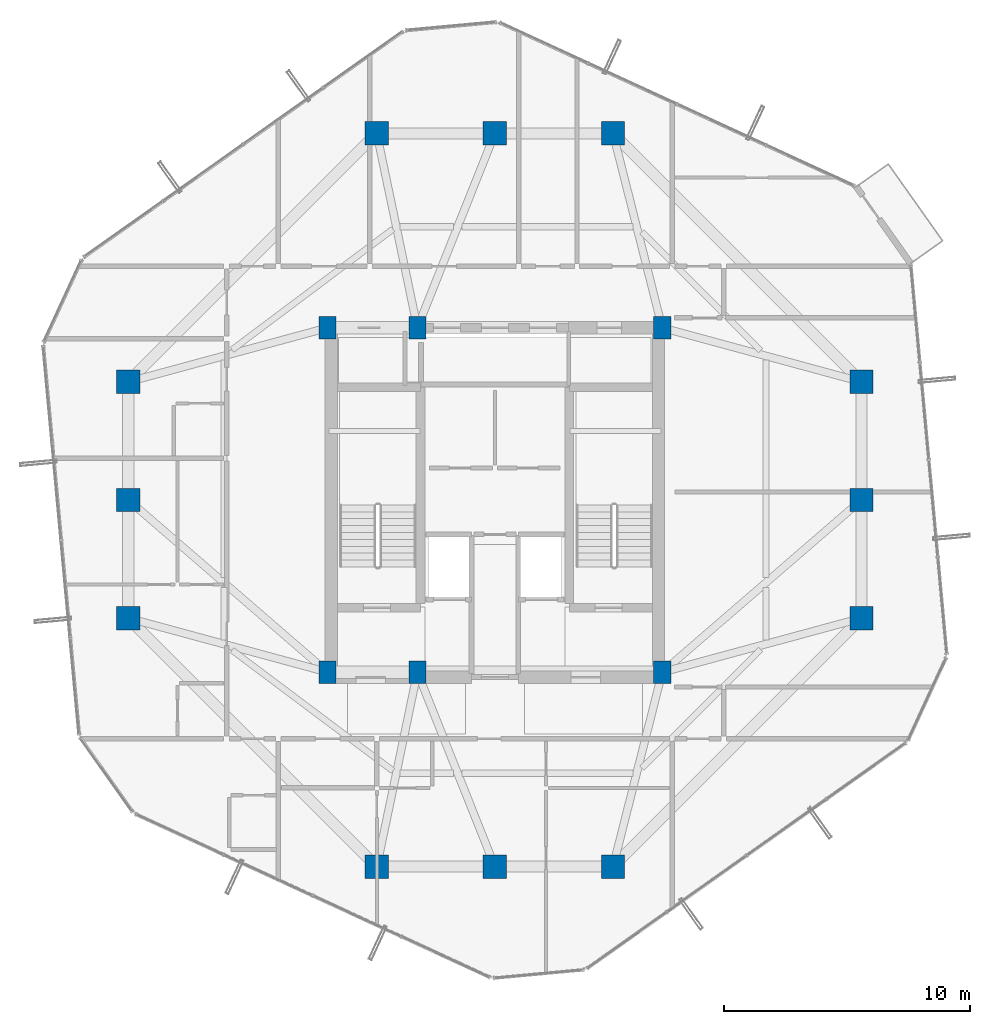
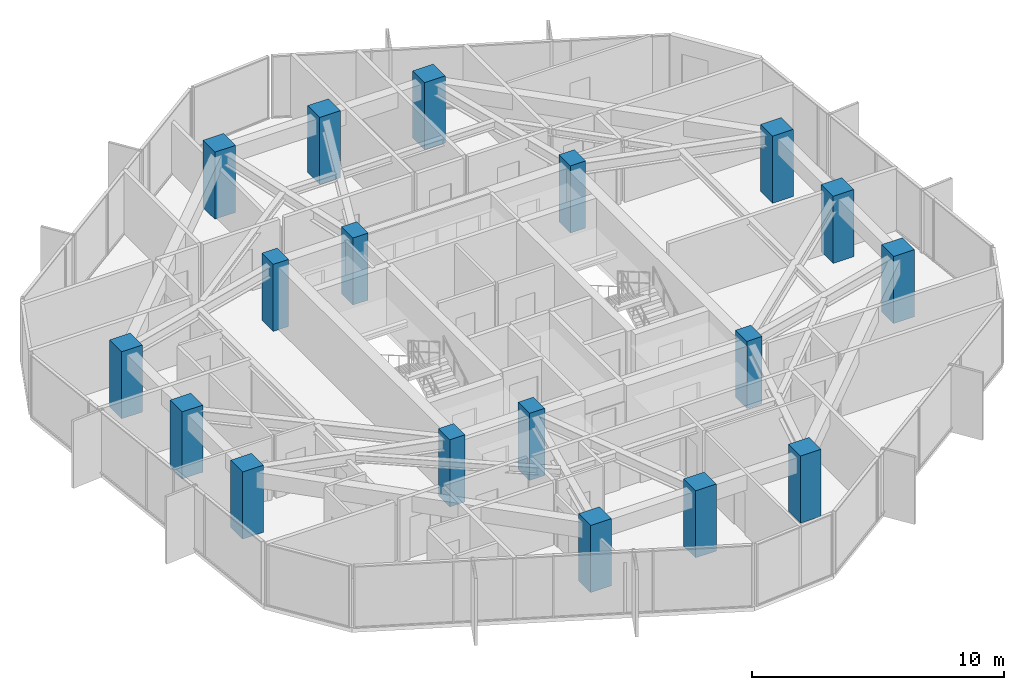
# One storey, part 1 of 32: 18 columns.
"""IFC4 building model written with IfcOpenShell, lengths in metres."""

import ifcopenshell
import ifcopenshell.guid

model = None  # the IFC model being written
_history = None  # IfcOwnerHistory: only IFC2X3 demands one
_inside = {}  # id of a spatial element -> (the spatial element, [elements in it])
_under = {}  # id of a project, library or spatial element -> (it, [spatial elements below it])
_declared = {}  # id of a project -> (the project, [libraries it declares])
_typed = {}  # id of a type object -> (the type object, [elements of that type])
_made_of = {}  # id of a material, layer set ... -> (it, [elements and type objects made of it])


def new_model(schema):
    """Start an empty IFC model of exactly this schema.

    Asked for "IFC4X3", IfcOpenShell would pick the latest addendum, in which some entities
    have other attributes; the version numbers below select the first issue.
    IFC2X3 requires an IfcOwnerHistory on every rooted entity: one is made here for all.
    """
    global model, _history
    if schema == "IFC4X3":
        model = ifcopenshell.file(schema_version=(4, 3, 0, 0))
    else:
        model = ifcopenshell.file(schema=schema)
    _inside.clear()
    _under.clear()
    _declared.clear()
    _typed.clear()
    _made_of.clear()
    _history = None
    if model.schema == "IFC2X3":
        org = make("IfcOrganization", Name="unknown")
        user = make(
            "IfcPersonAndOrganization",
            ThePerson=make("IfcPerson", FamilyName="unknown"),
            TheOrganization=org,
        )
        app = make(
            "IfcApplication",
            ApplicationDeveloper=org,
            Version="unknown",
            ApplicationFullName="unknown",
            ApplicationIdentifier="unknown",
        )
        _history = make(
            "IfcOwnerHistory",
            OwningUser=user,
            OwningApplication=app,
            ChangeAction="ADDED",
            CreationDate=0,
        )
    return model


def make(cls, **values):
    """One entity of the class cls with the attributes given. An attribute that is None is left unset."""
    return model.create_entity(
        cls, **{name: value for name, value in values.items() if value is not None}
    )


def rooted(cls, **values):
    """An entity with a GlobalId (a new one), such as an element, a storey or a relation."""
    return make(cls, GlobalId=ifcopenshell.guid.new(), OwnerHistory=_history, **values)


def si_unit(unit_type, name, prefix=None):
    """IfcSIUnit, for example si_unit("LENGTHUNIT", "METRE", prefix="MILLI")."""
    return make("IfcSIUnit", UnitType=unit_type, Prefix=prefix, Name=name)


def assignment(units):
    """IfcUnitAssignment: the units of a project."""
    return None if units is None else make("IfcUnitAssignment", Units=units)


def point(xyz):
    """IfcCartesianPoint."""
    return None if xyz is None else make("IfcCartesianPoint", Coordinates=xyz)


def direction(xyz):
    """IfcDirection."""
    return None if xyz is None else make("IfcDirection", DirectionRatios=xyz)


def frame(location, z_axis=None, x_axis=None):
    """IfcAxis2Placement3D, a coordinate frame: its origin and axes. An axis left out is left unset."""
    return make(
        "IfcAxis2Placement3D",
        Location=point(location),
        Axis=direction(z_axis),
        RefDirection=direction(x_axis),
    )


def frame_2d(location, x_axis=None):
    """IfcAxis2Placement2D, a coordinate frame in the plane: its origin and x axis."""
    return make(
        "IfcAxis2Placement2D", Location=point(location), RefDirection=direction(x_axis)
    )


def origin():
    """The frame at (0, 0, 0) with its axes left unset."""
    return frame((0.0, 0.0, 0.0))


def origin_2d():
    """The frame at (0, 0) in the plane with its x axis left unset."""
    return frame_2d((0.0, 0.0))


def place(relative_to, where):
    """IfcLocalPlacement: puts the frame where relative to a parent placement (None: the world)."""
    return make(
        "IfcLocalPlacement", PlacementRelTo=relative_to, RelativePlacement=where
    )


def context(
    kind, dimensions, precision=None, world=None, true_north=None, identifier=None
):
    """IfcGeometricRepresentationContext, for example the 3D "Model" context."""
    return make(
        "IfcGeometricRepresentationContext",
        ContextIdentifier=identifier,
        ContextType=kind,
        CoordinateSpaceDimension=dimensions,
        Precision=precision,
        WorldCoordinateSystem=world,
        TrueNorth=true_north,
    )


def subcontext(parent, identifier, kind, view, scale=None):
    """IfcGeometricRepresentationSubContext, for example "Body" below "Model"."""
    return make(
        "IfcGeometricRepresentationSubContext",
        ContextIdentifier=identifier,
        ContextType=kind,
        ParentContext=parent,
        TargetScale=scale,
        TargetView=view,
    )


def project(units=None, contexts=None):
    """IfcProject with its units and contexts."""
    return rooted(
        "IfcProject",
        Name="project",
        RepresentationContexts=contexts,
        UnitsInContext=assignment(units),
    )


def spatial(cls, under=None, at=None, **own):
    """A site, building, storey or space (cls), placed at a placement, below another one or the project."""
    s = rooted(cls, ObjectPlacement=at, **own)
    if under is not None:
        _under.setdefault(under.id(), (under, []))[1].append(s)
    return s


def profile(cls, at=None, kind="AREA", **sizes):
    """A parametric profile (cls). Its sizes go by their IFC names, for example OverallWidth=200.0."""
    return make(cls, ProfileType=kind, Position=at, **sizes)


def rectangle(**sizes):
    """IfcRectangleProfileDef."""
    return profile("IfcRectangleProfileDef", **sizes)


def extrude(swept, where, along, depth):
    """IfcExtrudedAreaSolid: the profile swept, set in the frame where, extruded along a direction by depth."""
    return make(
        "IfcExtrudedAreaSolid",
        SweptArea=swept,
        Position=where,
        ExtrudedDirection=direction(along),
        Depth=depth,
    )


def shape(context_of_items, identifier, shape_type, items):
    """IfcShapeRepresentation: the items that make up one representation, for example the "Body"."""
    return make(
        "IfcShapeRepresentation",
        ContextOfItems=context_of_items,
        RepresentationIdentifier=identifier,
        RepresentationType=shape_type,
        Items=items,
    )


def material(Name=None, Category=None):
    """IfcMaterial."""
    return make("IfcMaterial", Name=Name, Category=Category)


def material_profile(
    of_material, cross_section, Name=None, Category=None, Priority=None
):
    """IfcMaterialProfile: a cross section and its material."""
    return make(
        "IfcMaterialProfile",
        Name=Name,
        Material=of_material,
        Profile=cross_section,
        Priority=Priority,
        Category=Category,
    )


def profile_set(profiles, Name=None, composite=None):
    """IfcMaterialProfileSet."""
    return make(
        "IfcMaterialProfileSet",
        Name=Name,
        MaterialProfiles=profiles,
        CompositeProfile=composite,
    )


def made_of(thing, what):
    """Note that an element or type object is made of a material, layer set ...; save() writes the relation."""
    if what is not None:
        _made_of.setdefault(what.id(), (what, []))[1].append(thing)
    return thing


def type_object(cls, material=None, **own):
    """A type object (cls), such as IfcWallType, which elements share."""
    return made_of(rooted(cls, **own), material)


def element(
    cls,
    number,
    at=None,
    inside=None,
    cuts=None,
    type_object=None,
    material=None,
    context=None,
    identifier="Body",
    shape_type=None,
    held_by="IfcProductDefinitionShape",
    body=None,
    shapes=None,
    **own,
):
    """One element of the class cls, such as IfcWall. Its Tag is "e" and its number.

    at: its placement. inside: the storey or other place that contains it. cuts: it is an
    opening in that element (IfcRelVoidsElement). A single representation is given by context,
    identifier, shape_type and body (its items); several are given by shapes. held_by: the class
    of the entity that holds the representations. save() writes the other relations.
    """
    e = rooted(cls, Tag="e%d" % number, ObjectPlacement=at, **own)
    if body is not None:
        shapes = [shape(context, identifier, shape_type, body)]
    if shapes is not None:
        e.Representation = make(held_by, Representations=shapes)
    if inside is not None:
        _inside.setdefault(inside.id(), (inside, []))[1].append(e)
    if cuts is not None:
        rooted(
            "IfcRelVoidsElement", RelatingBuildingElement=cuts, RelatedOpeningElement=e
        )
    if type_object is not None:
        _typed.setdefault(type_object.id(), (type_object, []))[1].append(e)
    return made_of(e, material)


def aggregate(whole, parts):
    """IfcRelAggregates: a whole, such as a stair, and the parts it consists of."""
    return rooted("IfcRelAggregates", RelatingObject=whole, RelatedObjects=parts)


def save(model, path):
    """Write the relations noted so far, then the file.

    IfcRelAggregates (storeys below a building ...), IfcRelContainedInSpatialStructure (elements
    in a storey), IfcRelDefinesByType, IfcRelAssociatesMaterial and IfcRelDeclares: one each for
    every whole, place, type object, material and project.
    """
    for whole, parts in _under.values():
        aggregate(whole, parts)
    for where, things in _inside.values():
        rooted(
            "IfcRelContainedInSpatialStructure",
            RelatedElements=things,
            RelatingStructure=where,
        )
    for kind, things in _typed.values():
        rooted("IfcRelDefinesByType", RelatedObjects=things, RelatingType=kind)
    for what, things in _made_of.values():
        rooted("IfcRelAssociatesMaterial", RelatedObjects=things, RelatingMaterial=what)
    for by, libraries in _declared.values():
        rooted("IfcRelDeclares", RelatingContext=by, RelatedDefinitions=libraries)
    model.write(path)


model = new_model("IFC4")

# Units and contexts
model_context = context("Model", 3, precision=1e-05, world=origin(), true_north=direction((0.0, 1.0)))
body_context = subcontext(model_context, "Body", "Model", "MODEL_VIEW")
ifc_project = project(units=[si_unit("LENGTHUNIT", "METRE"), si_unit("AREAUNIT", "SQUARE_METRE"), si_unit("VOLUMEUNIT", "CUBIC_METRE"), si_unit("PLANEANGLEUNIT", "RADIAN"), si_unit("MASSUNIT", "GRAM", prefix="KILO")], contexts=[model_context])

# Site, building, storey
site_placement = place(None, origin())
site = spatial("IfcSite", under=ifc_project, at=site_placement, CompositionType="ELEMENT")
building_placement = place(site_placement, origin())
building = spatial("IfcBuilding", under=site, at=building_placement, Name="Veraguas Prism Commons", CompositionType="ELEMENT")
storey_placement = place(building_placement, frame((0.0, 0.0, 188.60009765625)))
storey = spatial("IfcBuildingStorey", under=building, at=storey_placement, Name="L53", CompositionType="ELEMENT", Elevation=188.60009765625)

# Columns
ifc_material = material(Name="Concrete C50/60", Category="concrete")
ifc_material_profile_1 = material_profile(ifc_material, rectangle(XDim=0.949951171875, YDim=0.949951171875, at=origin_2d()), Name="RC950X950")
ifc_profile_set_1 = profile_set([ifc_material_profile_1], Name="Concrete C50/60")
column_type_1 = type_object("IfcColumnType", Name="Column Tube Z3 RC 950x950", PredefinedType="COLUMN", material=ifc_profile_set_1)
for number, where, z_axis, x_axis, name in (
    (1, (38.89990234375, 19.199951171875, 0.0), (0.0, 0.0, 1.0), (1.0, 0.0, 0.0), "Tower Perimeter Column L53-TB01"),
    (2, (38.89990234375, 24.0, 0.0), (0.0, 0.0, 1.0), (1.0, 0.0, 0.0), "Tower Perimeter Column L53-TB02"),
    (3, (38.89990234375, 28.800048828125, 0.0), (0.0, 0.0, 1.0), (1.0, 0.0, 0.0), "Tower Perimeter Column L53-TB03"),
    (4, (28.800048828125, 38.89990234375, 0.0), (0.0, 0.0, 1.0), (1.0, 0.0, 0.0), "Tower Perimeter Column L53-TB04"),
    (5, (24.0, 38.89990234375, 0.0), (0.0, 0.0, 1.0), (1.0, 0.0, 0.0), "Tower Perimeter Column L53-TB05"),
    (6, (19.199951171875, 38.89990234375, 0.0), (0.0, 0.0, 1.0), (1.0, 0.0, 0.0), "Tower Perimeter Column L53-TB06"),
    (7, (9.10009765625, 28.800048828125, 0.0), (0.0, 0.0, 1.0), (1.0, 0.0, 0.0), "Tower Perimeter Column L53-TB07"),
    (8, (9.10009765625, 24.0, 0.0), (0.0, 0.0, 1.0), (1.0, 0.0, 0.0), "Tower Perimeter Column L53-TB08"),
    (9, (9.10009765625, 19.199951171875, 0.0), (0.0, 0.0, 1.0), (1.0, 0.0, 0.0), "Tower Perimeter Column L53-TB09"),
    (10, (19.199951171875, 9.10009765625, 0.0), (0.0, 0.0, 1.0), (1.0, 0.0, 0.0), "Tower Perimeter Column L53-TB10"),
    (11, (24.0, 9.10009765625, 0.0), (0.0, 0.0, 1.0), (1.0, 0.0, 0.0), "Tower Perimeter Column L53-TB11"),
    (12, (28.800048828125, 9.10009765625, 0.0), (0.0, 0.0, 1.0), (1.0, 0.0, 0.0), "Tower Perimeter Column L53-TB12"),
):
    element("IfcColumn", number, at=place(storey_placement, frame(where, z_axis=z_axis, x_axis=x_axis)), inside=storey, type_object=column_type_1, Name=name, PredefinedType="COLUMN", context=body_context, shape_type="SweptSolid", body=[
        extrude(rectangle(XDim=0.949951171875, YDim=0.949951171875, at=origin_2d()), origin(), (0.0, 0.0, 1.0), 3.25),
    ])
ifc_material_profile_2 = material_profile(ifc_material, rectangle(XDim=0.699951171875, YDim=0.89990234375, at=origin_2d()), Name="RC700X900")
ifc_profile_set_2 = profile_set([ifc_material_profile_2], Name="Concrete C50/60")
column_type_2 = type_object("IfcColumnType", Name="Pilaster Core Upper RC 700x900", PredefinedType="PILASTER", material=ifc_profile_set_2)
for number, where, z_axis, x_axis, name in (
    (13, (17.199951171875, 17.0, 0.0), (0.0, 0.0, 1.0), (1.0, 0.0, 0.0), "Core Pilaster Column L53-CR1"),
    (14, (20.85009765625, 17.0, 0.0), (0.0, 0.0, 1.0), (1.0, 0.0, 0.0), "Core Pilaster Column L53-CR2"),
    (15, (30.800048828125, 17.0, 0.0), (0.0, 0.0, 1.0), (1.0, 0.0, 0.0), "Core Pilaster Column L53-CR3"),
    (16, (17.199951171875, 31.0, 0.0), (0.0, 0.0, 1.0), (1.0, 0.0, 0.0), "Core Pilaster Column L53-CR4"),
    (17, (20.85009765625, 31.0, 0.0), (0.0, 0.0, 1.0), (1.0, 0.0, 0.0), "Core Pilaster Column L53-CR5"),
    (18, (30.800048828125, 31.0, 0.0), (0.0, 0.0, 1.0), (1.0, 0.0, 0.0), "Core Pilaster Column L53-CR6"),
):
    element("IfcColumn", number, at=place(storey_placement, frame(where, z_axis=z_axis, x_axis=x_axis)), inside=storey, type_object=column_type_2, Name=name, PredefinedType="PILASTER", context=body_context, shape_type="SweptSolid", body=[
        extrude(rectangle(XDim=0.699951171875, YDim=0.89990234375, at=origin_2d()), origin(), (0.0, 0.0, 1.0), 3.25),
    ])

save(model, "model.ifc")
